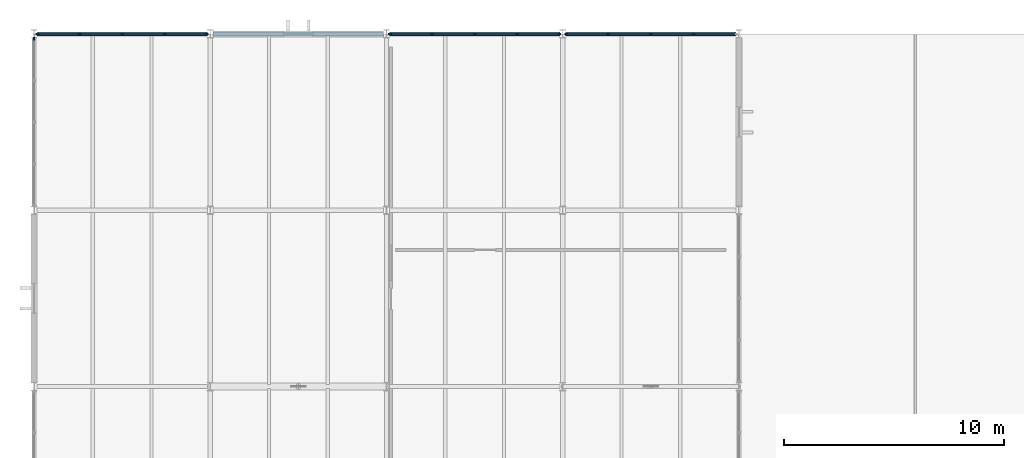
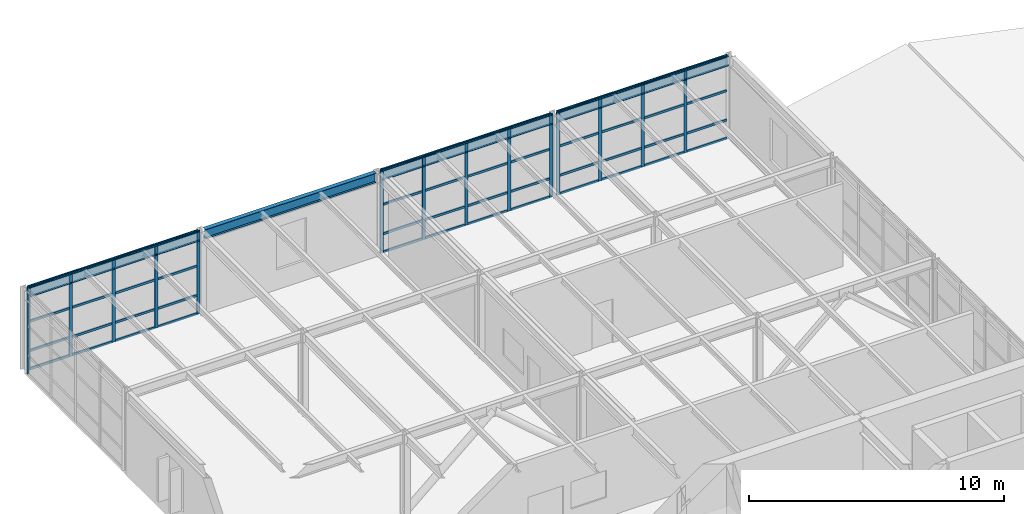
# One storey, part 11 of 20: 63 members, 4 beams, 4 elements without a shape of their own.
"""IFC4 building model written with IfcOpenShell, lengths in metres."""

from ifc_helpers import new_model, si_unit, direction, frame, origin, origin_2d, place, context, subcontext, project, spatial, rectangle, i_section, extrude, material, layer, layer_set, material_profile, profile_set, type_object, element, aggregate, save


model = new_model("IFC4")

# Units and contexts
model_context = context("Model", 3, precision=1e-05, world=origin(), true_north=direction((0.0, 1.0)))
body_context = subcontext(model_context, "Body", "Model", "MODEL_VIEW")
ifc_project = project(units=[si_unit("LENGTHUNIT", "METRE"), si_unit("AREAUNIT", "SQUARE_METRE"), si_unit("VOLUMEUNIT", "CUBIC_METRE"), si_unit("PLANEANGLEUNIT", "RADIAN"), si_unit("MASSUNIT", "GRAM", prefix="KILO")], contexts=[model_context])

# Site, building, storey
site_placement = place(None, origin())
site = spatial("IfcSite", under=ifc_project, at=site_placement, CompositionType="ELEMENT")
building_placement = place(site_placement, origin())
building = spatial("IfcBuilding", under=site, at=building_placement, Name="Varnela Railside Interchange", CompositionType="ELEMENT")
storey_placement = place(building_placement, frame((0.0, 0.0, 28.0)))
storey = spatial("IfcBuildingStorey", under=building, at=storey_placement, Name="L06", CompositionType="ELEMENT", Elevation=28.0)

# Curtain wall, member
ifc_material_1 = material(Name="Aluminium 6063-T6", Category="aluminium")
ifc_layer = layer(ifc_material_1, 0.035888671875)
ifc_layer_set = layer_set([ifc_layer], Name="Aluminium 6063-T6")
curtain_wall_type = type_object("IfcCurtainWallType", Name="Operations Wing Facade Curtain Wall CW-03", PredefinedType="USERDEFINED", material=ifc_layer_set)
curtain_wall_1_placement = place(storey_placement, origin())
curtain_wall_1 = element("IfcCurtainWall", 1, at=curtain_wall_1_placement, inside=storey, type_object=curtain_wall_type, Name="Curtain Wall CW-03 (L06) (CW-138)", ObjectType="CURTAIN WALL", PredefinedType="USERDEFINED")
ifc_material_profile_1 = material_profile(ifc_material_1, rectangle(XDim=0.06005859375, YDim=0.139892578125, at=origin_2d()), Name="ALU 60x140")
ifc_profile_set_1 = profile_set([ifc_material_profile_1], Name="Aluminium 6063-T6")
member_type_1 = type_object("IfcMemberType", Name="Curtain Wall Mullion ML-01", PredefinedType="MULLION", material=ifc_profile_set_1)
member_1_placement = place(storey_placement, frame((4.0, 93.78857421875, 0.0), z_axis=(0.0, 0.0, 1.0), x_axis=(-1.0, 0.0, 0.0)))
member_1 = element("IfcMember", 2, at=member_1_placement, type_object=member_type_1, Name="CW-03 mullion 5", PredefinedType="MULLION", context=body_context, shape_type="SweptSolid", body=[
    extrude(rectangle(XDim=0.06005859375, YDim=0.139892578125, at=origin_2d()), origin(), (0.0, 0.0, 1.0), 3.97998046875),
])
aggregate(curtain_wall_1, [member_1])

# Curtain wall, members
curtain_wall_2_placement = place(storey_placement, origin())
curtain_wall_2 = element("IfcCurtainWall", 3, at=curtain_wall_2_placement, inside=storey, type_object=curtain_wall_type, Name="Curtain Wall CW-03 (L06) (CW-139)", ObjectType="CURTAIN WALL", PredefinedType="USERDEFINED")
member_2_placement = place(storey_placement, frame((4.158447265625, 94.0, 0.0), z_axis=(0.0, 0.0, 1.0), x_axis=(0.0, 1.0, 0.0)))
member_2 = element("IfcMember", 4, at=member_2_placement, type_object=member_type_1, Name="CW-03 mullion 1", PredefinedType="MULLION", context=body_context, shape_type="SweptSolid", body=[
    extrude(rectangle(XDim=0.06005859375, YDim=0.139892578125, at=origin_2d()), origin(), (0.0, 0.0, 1.0), 3.97998046875),
])
member_3_placement = place(storey_placement, frame((6.064208984375, 94.0, 0.0), z_axis=(0.0, 0.0, 1.0), x_axis=(0.0, 1.0, 0.0)))
member_3 = element("IfcMember", 5, at=member_3_placement, type_object=member_type_1, Name="CW-03 mullion 2", PredefinedType="MULLION", context=body_context, shape_type="SweptSolid", body=[
    extrude(rectangle(XDim=0.06005859375, YDim=0.139892578125, at=origin_2d()), origin(), (0.0, 0.0, 1.0), 3.97998046875),
])
member_4_placement = place(storey_placement, frame((8.0, 94.0, 0.0), z_axis=(0.0, 0.0, 1.0), x_axis=(0.0, 1.0, 0.0)))
member_4 = element("IfcMember", 6, at=member_4_placement, type_object=member_type_1, Name="CW-03 mullion 3", PredefinedType="MULLION", context=body_context, shape_type="SweptSolid", body=[
    extrude(rectangle(XDim=0.06005859375, YDim=0.139892578125, at=origin_2d()), origin(), (0.0, 0.0, 1.0), 3.97998046875),
])
member_5_placement = place(storey_placement, frame((9.935791015625, 94.0, 0.0), z_axis=(0.0, 0.0, 1.0), x_axis=(0.0, 1.0, 0.0)))
member_5 = element("IfcMember", 7, at=member_5_placement, type_object=member_type_1, Name="CW-03 mullion 4", PredefinedType="MULLION", context=body_context, shape_type="SweptSolid", body=[
    extrude(rectangle(XDim=0.06005859375, YDim=0.139892578125, at=origin_2d()), origin(), (0.0, 0.0, 1.0), 3.97998046875),
])
member_6_placement = place(storey_placement, frame((11.841552734375, 94.0, 0.0), z_axis=(0.0, 0.0, 1.0), x_axis=(0.0, 1.0, 0.0)))
member_6 = element("IfcMember", 8, at=member_6_placement, type_object=member_type_1, Name="CW-03 mullion 5", PredefinedType="MULLION", context=body_context, shape_type="SweptSolid", body=[
    extrude(rectangle(XDim=0.06005859375, YDim=0.139892578125, at=origin_2d()), origin(), (0.0, 0.0, 1.0), 3.97998046875),
])

curtain_wall_3_placement = place(storey_placement, origin())
curtain_wall_3 = element("IfcCurtainWall", 9, at=curtain_wall_3_placement, inside=storey, type_object=curtain_wall_type, Name="Curtain Wall CW-03 (L06) (CW-140)", ObjectType="CURTAIN WALL", PredefinedType="USERDEFINED")
member_7_placement = place(storey_placement, frame((20.158447265625, 94.0, 0.0), z_axis=(0.0, 0.0, 1.0), x_axis=(0.0, 1.0, 0.0)))
member_7 = element("IfcMember", 10, at=member_7_placement, type_object=member_type_1, Name="CW-03 mullion 1", PredefinedType="MULLION", context=body_context, shape_type="SweptSolid", body=[
    extrude(rectangle(XDim=0.06005859375, YDim=0.139892578125, at=origin_2d()), origin(), (0.0, 0.0, 1.0), 3.97998046875),
])
member_8_placement = place(storey_placement, frame((22.064208984375, 94.0, 0.0), z_axis=(0.0, 0.0, 1.0), x_axis=(0.0, 1.0, 0.0)))
member_8 = element("IfcMember", 11, at=member_8_placement, type_object=member_type_1, Name="CW-03 mullion 2", PredefinedType="MULLION", context=body_context, shape_type="SweptSolid", body=[
    extrude(rectangle(XDim=0.06005859375, YDim=0.139892578125, at=origin_2d()), origin(), (0.0, 0.0, 1.0), 3.97998046875),
])
member_9_placement = place(storey_placement, frame((24.0, 94.0, 0.0), z_axis=(0.0, 0.0, 1.0), x_axis=(0.0, 1.0, 0.0)))
member_9 = element("IfcMember", 12, at=member_9_placement, type_object=member_type_1, Name="CW-03 mullion 3", PredefinedType="MULLION", context=body_context, shape_type="SweptSolid", body=[
    extrude(rectangle(XDim=0.06005859375, YDim=0.139892578125, at=origin_2d()), origin(), (0.0, 0.0, 1.0), 3.97998046875),
])
member_10_placement = place(storey_placement, frame((25.935791015625, 94.0, 0.0), z_axis=(0.0, 0.0, 1.0), x_axis=(0.0, 1.0, 0.0)))
member_10 = element("IfcMember", 13, at=member_10_placement, type_object=member_type_1, Name="CW-03 mullion 4", PredefinedType="MULLION", context=body_context, shape_type="SweptSolid", body=[
    extrude(rectangle(XDim=0.06005859375, YDim=0.139892578125, at=origin_2d()), origin(), (0.0, 0.0, 1.0), 3.97998046875),
])
member_11_placement = place(storey_placement, frame((27.841552734375, 94.0, 0.0), z_axis=(0.0, 0.0, 1.0), x_axis=(0.0, 1.0, 0.0)))
member_11 = element("IfcMember", 14, at=member_11_placement, type_object=member_type_1, Name="CW-03 mullion 5", PredefinedType="MULLION", context=body_context, shape_type="SweptSolid", body=[
    extrude(rectangle(XDim=0.06005859375, YDim=0.139892578125, at=origin_2d()), origin(), (0.0, 0.0, 1.0), 3.97998046875),
])

curtain_wall_4_placement = place(storey_placement, origin())
curtain_wall_4 = element("IfcCurtainWall", 15, at=curtain_wall_4_placement, inside=storey, type_object=curtain_wall_type, Name="Curtain Wall CW-03 (L06) (CW-141)", ObjectType="CURTAIN WALL", PredefinedType="USERDEFINED")
member_12_placement = place(storey_placement, frame((28.158447265625, 94.0, 0.0), z_axis=(0.0, 0.0, 1.0), x_axis=(0.0, 1.0, 0.0)))
member_12 = element("IfcMember", 16, at=member_12_placement, type_object=member_type_1, Name="CW-03 mullion 1", PredefinedType="MULLION", context=body_context, shape_type="SweptSolid", body=[
    extrude(rectangle(XDim=0.06005859375, YDim=0.139892578125, at=origin_2d()), origin(), (0.0, 0.0, 1.0), 3.97998046875),
])
member_13_placement = place(storey_placement, frame((30.064208984375, 94.0, 0.0), z_axis=(0.0, 0.0, 1.0), x_axis=(0.0, 1.0, 0.0)))
member_13 = element("IfcMember", 17, at=member_13_placement, type_object=member_type_1, Name="CW-03 mullion 2", PredefinedType="MULLION", context=body_context, shape_type="SweptSolid", body=[
    extrude(rectangle(XDim=0.06005859375, YDim=0.139892578125, at=origin_2d()), origin(), (0.0, 0.0, 1.0), 3.97998046875),
])
member_14_placement = place(storey_placement, frame((32.0, 94.0, 0.0), z_axis=(0.0, 0.0, 1.0), x_axis=(0.0, 1.0, 0.0)))
member_14 = element("IfcMember", 18, at=member_14_placement, type_object=member_type_1, Name="CW-03 mullion 3", PredefinedType="MULLION", context=body_context, shape_type="SweptSolid", body=[
    extrude(rectangle(XDim=0.06005859375, YDim=0.139892578125, at=origin_2d()), origin(), (0.0, 0.0, 1.0), 3.97998046875),
])
member_15_placement = place(storey_placement, frame((33.935791015625, 94.0, 0.0), z_axis=(0.0, 0.0, 1.0), x_axis=(0.0, 1.0, 0.0)))
member_15 = element("IfcMember", 19, at=member_15_placement, type_object=member_type_1, Name="CW-03 mullion 4", PredefinedType="MULLION", context=body_context, shape_type="SweptSolid", body=[
    extrude(rectangle(XDim=0.06005859375, YDim=0.139892578125, at=origin_2d()), origin(), (0.0, 0.0, 1.0), 3.97998046875),
])

# Member
ifc_material_profile_2 = material_profile(ifc_material_1, rectangle(XDim=0.06005859375, YDim=0.110107421875, at=origin_2d()), Name="ALU 60x110")
ifc_profile_set_2 = profile_set([ifc_material_profile_2], Name="Aluminium 6063-T6")
member_type_2 = type_object("IfcMemberType", Name="Curtain Wall Transom TR-01", PredefinedType="USERDEFINED", material=ifc_profile_set_2)
member_16_placement = place(storey_placement, frame((4.1884765625, 94.0, 0.030029296875), z_axis=(1.0, 0.0, 0.0), x_axis=(0.0, 1.0, 0.0)))
member_16 = element("IfcMember", 20, at=member_16_placement, type_object=member_type_2, Name="CW-03 transom 1.1", ObjectType="TRANSOM", PredefinedType="USERDEFINED", context=body_context, shape_type="SweptSolid", body=[
    extrude(rectangle(XDim=0.06005859375, YDim=0.110107421875, at=origin_2d()), origin(), (0.0, 0.0, 1.0), 1.845703125),
])

member_17_placement = place(storey_placement, frame((4.1884765625, 94.0, 0.89990234375), z_axis=(1.0, 0.0, 0.0), x_axis=(0.0, 1.0, 0.0)))
member_17 = element("IfcMember", 21, at=member_17_placement, type_object=member_type_2, Name="CW-03 transom 1.2", ObjectType="TRANSOM", PredefinedType="USERDEFINED", context=body_context, shape_type="SweptSolid", body=[
    extrude(rectangle(XDim=0.06005859375, YDim=0.110107421875, at=origin_2d()), origin(), (0.0, 0.0, 1.0), 1.845703125),
])

member_18_placement = place(storey_placement, frame((4.1884765625, 94.0, 2.308349609375), z_axis=(1.0, 0.0, 0.0), x_axis=(0.0, 1.0, 0.0)))
member_18 = element("IfcMember", 22, at=member_18_placement, type_object=member_type_2, Name="CW-03 transom 1.3", ObjectType="TRANSOM", PredefinedType="USERDEFINED", context=body_context, shape_type="SweptSolid", body=[
    extrude(rectangle(XDim=0.06005859375, YDim=0.110107421875, at=origin_2d()), origin(), (0.0, 0.0, 1.0), 1.845703125),
])

member_19_placement = place(storey_placement, frame((4.1884765625, 94.0, 3.949951171875), z_axis=(1.0, 0.0, 0.0), x_axis=(0.0, 1.0, 0.0)))
member_19 = element("IfcMember", 23, at=member_19_placement, type_object=member_type_2, Name="CW-03 transom 1.4", ObjectType="TRANSOM", PredefinedType="USERDEFINED", context=body_context, shape_type="SweptSolid", body=[
    extrude(rectangle(XDim=0.06005859375, YDim=0.110107421875, at=origin_2d()), origin(), (0.0, 0.0, 1.0), 1.845703125),
])

member_20_placement = place(storey_placement, frame((6.09423828125, 94.0, 0.030029296875), z_axis=(1.0, 0.0, 0.0), x_axis=(0.0, 1.0, 0.0)))
member_20 = element("IfcMember", 24, at=member_20_placement, type_object=member_type_2, Name="CW-03 transom 2.1", ObjectType="TRANSOM", PredefinedType="USERDEFINED", context=body_context, shape_type="SweptSolid", body=[
    extrude(rectangle(XDim=0.06005859375, YDim=0.110107421875, at=origin_2d()), origin(), (0.0, 0.0, 1.0), 1.875732421875),
])

member_21_placement = place(storey_placement, frame((6.09423828125, 94.0, 0.89990234375), z_axis=(1.0, 0.0, 0.0), x_axis=(0.0, 1.0, 0.0)))
member_21 = element("IfcMember", 25, at=member_21_placement, type_object=member_type_2, Name="CW-03 transom 2.2", ObjectType="TRANSOM", PredefinedType="USERDEFINED", context=body_context, shape_type="SweptSolid", body=[
    extrude(rectangle(XDim=0.06005859375, YDim=0.110107421875, at=origin_2d()), origin(), (0.0, 0.0, 1.0), 1.875732421875),
])

member_22_placement = place(storey_placement, frame((6.09423828125, 94.0, 2.308349609375), z_axis=(1.0, 0.0, 0.0), x_axis=(0.0, 1.0, 0.0)))
member_22 = element("IfcMember", 26, at=member_22_placement, type_object=member_type_2, Name="CW-03 transom 2.3", ObjectType="TRANSOM", PredefinedType="USERDEFINED", context=body_context, shape_type="SweptSolid", body=[
    extrude(rectangle(XDim=0.06005859375, YDim=0.110107421875, at=origin_2d()), origin(), (0.0, 0.0, 1.0), 1.875732421875),
])

member_23_placement = place(storey_placement, frame((6.09423828125, 94.0, 3.949951171875), z_axis=(1.0, 0.0, 0.0), x_axis=(0.0, 1.0, 0.0)))
member_23 = element("IfcMember", 27, at=member_23_placement, type_object=member_type_2, Name="CW-03 transom 2.4", ObjectType="TRANSOM", PredefinedType="USERDEFINED", context=body_context, shape_type="SweptSolid", body=[
    extrude(rectangle(XDim=0.06005859375, YDim=0.110107421875, at=origin_2d()), origin(), (0.0, 0.0, 1.0), 1.875732421875),
])

member_24_placement = place(storey_placement, frame((8.030029296875, 94.0, 0.030029296875), z_axis=(1.0, 0.0, 0.0), x_axis=(0.0, 1.0, 0.0)))
member_24 = element("IfcMember", 28, at=member_24_placement, type_object=member_type_2, Name="CW-03 transom 3.1", ObjectType="TRANSOM", PredefinedType="USERDEFINED", context=body_context, shape_type="SweptSolid", body=[
    extrude(rectangle(XDim=0.06005859375, YDim=0.110107421875, at=origin_2d()), origin(), (0.0, 0.0, 1.0), 1.875732421875),
])

member_25_placement = place(storey_placement, frame((8.030029296875, 94.0, 0.89990234375), z_axis=(1.0, 0.0, 0.0), x_axis=(0.0, 1.0, 0.0)))
member_25 = element("IfcMember", 29, at=member_25_placement, type_object=member_type_2, Name="CW-03 transom 3.2", ObjectType="TRANSOM", PredefinedType="USERDEFINED", context=body_context, shape_type="SweptSolid", body=[
    extrude(rectangle(XDim=0.06005859375, YDim=0.110107421875, at=origin_2d()), origin(), (0.0, 0.0, 1.0), 1.875732421875),
])

member_26_placement = place(storey_placement, frame((8.030029296875, 94.0, 2.308349609375), z_axis=(1.0, 0.0, 0.0), x_axis=(0.0, 1.0, 0.0)))
member_26 = element("IfcMember", 30, at=member_26_placement, type_object=member_type_2, Name="CW-03 transom 3.3", ObjectType="TRANSOM", PredefinedType="USERDEFINED", context=body_context, shape_type="SweptSolid", body=[
    extrude(rectangle(XDim=0.06005859375, YDim=0.110107421875, at=origin_2d()), origin(), (0.0, 0.0, 1.0), 1.875732421875),
])

member_27_placement = place(storey_placement, frame((8.030029296875, 94.0, 3.949951171875), z_axis=(1.0, 0.0, 0.0), x_axis=(0.0, 1.0, 0.0)))
member_27 = element("IfcMember", 31, at=member_27_placement, type_object=member_type_2, Name="CW-03 transom 3.4", ObjectType="TRANSOM", PredefinedType="USERDEFINED", context=body_context, shape_type="SweptSolid", body=[
    extrude(rectangle(XDim=0.06005859375, YDim=0.110107421875, at=origin_2d()), origin(), (0.0, 0.0, 1.0), 1.875732421875),
])

member_28_placement = place(storey_placement, frame((9.9658203125, 94.0, 0.030029296875), z_axis=(1.0, 0.0, 0.0), x_axis=(0.0, 1.0, 0.0)))
member_28 = element("IfcMember", 32, at=member_28_placement, type_object=member_type_2, Name="CW-03 transom 4.1", ObjectType="TRANSOM", PredefinedType="USERDEFINED", context=body_context, shape_type="SweptSolid", body=[
    extrude(rectangle(XDim=0.06005859375, YDim=0.110107421875, at=origin_2d()), origin(), (0.0, 0.0, 1.0), 1.845703125),
])

member_29_placement = place(storey_placement, frame((9.9658203125, 94.0, 0.89990234375), z_axis=(1.0, 0.0, 0.0), x_axis=(0.0, 1.0, 0.0)))
member_29 = element("IfcMember", 33, at=member_29_placement, type_object=member_type_2, Name="CW-03 transom 4.2", ObjectType="TRANSOM", PredefinedType="USERDEFINED", context=body_context, shape_type="SweptSolid", body=[
    extrude(rectangle(XDim=0.06005859375, YDim=0.110107421875, at=origin_2d()), origin(), (0.0, 0.0, 1.0), 1.845703125),
])

member_30_placement = place(storey_placement, frame((9.9658203125, 94.0, 2.308349609375), z_axis=(1.0, 0.0, 0.0), x_axis=(0.0, 1.0, 0.0)))
member_30 = element("IfcMember", 34, at=member_30_placement, type_object=member_type_2, Name="CW-03 transom 4.3", ObjectType="TRANSOM", PredefinedType="USERDEFINED", context=body_context, shape_type="SweptSolid", body=[
    extrude(rectangle(XDim=0.06005859375, YDim=0.110107421875, at=origin_2d()), origin(), (0.0, 0.0, 1.0), 1.845703125),
])

member_31_placement = place(storey_placement, frame((9.9658203125, 94.0, 3.949951171875), z_axis=(1.0, 0.0, 0.0), x_axis=(0.0, 1.0, 0.0)))
member_31 = element("IfcMember", 35, at=member_31_placement, type_object=member_type_2, Name="CW-03 transom 4.4", ObjectType="TRANSOM", PredefinedType="USERDEFINED", context=body_context, shape_type="SweptSolid", body=[
    extrude(rectangle(XDim=0.06005859375, YDim=0.110107421875, at=origin_2d()), origin(), (0.0, 0.0, 1.0), 1.845703125),
])

aggregate(curtain_wall_2, [member_2, member_3, member_4, member_5, member_6, member_16, member_17, member_18, member_19, member_20, member_21, member_22, member_23, member_24, member_25, member_26, member_27, member_28, member_29, member_30, member_31])

member_32_placement = place(storey_placement, frame((20.1884765625, 94.0, 0.030029296875), z_axis=(1.0, 0.0, 0.0), x_axis=(0.0, 1.0, 0.0)))
member_32 = element("IfcMember", 36, at=member_32_placement, type_object=member_type_2, Name="CW-03 transom 1.1", ObjectType="TRANSOM", PredefinedType="USERDEFINED", context=body_context, shape_type="SweptSolid", body=[
    extrude(rectangle(XDim=0.06005859375, YDim=0.110107421875, at=origin_2d()), origin(), (0.0, 0.0, 1.0), 1.845703125),
])

member_33_placement = place(storey_placement, frame((20.1884765625, 94.0, 0.89990234375), z_axis=(1.0, 0.0, 0.0), x_axis=(0.0, 1.0, 0.0)))
member_33 = element("IfcMember", 37, at=member_33_placement, type_object=member_type_2, Name="CW-03 transom 1.2", ObjectType="TRANSOM", PredefinedType="USERDEFINED", context=body_context, shape_type="SweptSolid", body=[
    extrude(rectangle(XDim=0.06005859375, YDim=0.110107421875, at=origin_2d()), origin(), (0.0, 0.0, 1.0), 1.845703125),
])

member_34_placement = place(storey_placement, frame((20.1884765625, 94.0, 2.308349609375), z_axis=(1.0, 0.0, 0.0), x_axis=(0.0, 1.0, 0.0)))
member_34 = element("IfcMember", 38, at=member_34_placement, type_object=member_type_2, Name="CW-03 transom 1.3", ObjectType="TRANSOM", PredefinedType="USERDEFINED", context=body_context, shape_type="SweptSolid", body=[
    extrude(rectangle(XDim=0.06005859375, YDim=0.110107421875, at=origin_2d()), origin(), (0.0, 0.0, 1.0), 1.845703125),
])

member_35_placement = place(storey_placement, frame((20.1884765625, 94.0, 3.949951171875), z_axis=(1.0, 0.0, 0.0), x_axis=(0.0, 1.0, 0.0)))
member_35 = element("IfcMember", 39, at=member_35_placement, type_object=member_type_2, Name="CW-03 transom 1.4", ObjectType="TRANSOM", PredefinedType="USERDEFINED", context=body_context, shape_type="SweptSolid", body=[
    extrude(rectangle(XDim=0.06005859375, YDim=0.110107421875, at=origin_2d()), origin(), (0.0, 0.0, 1.0), 1.845703125),
])

member_36_placement = place(storey_placement, frame((22.09423828125, 94.0, 0.030029296875), z_axis=(1.0, 0.0, 0.0), x_axis=(0.0, 1.0, 0.0)))
member_36 = element("IfcMember", 40, at=member_36_placement, type_object=member_type_2, Name="CW-03 transom 2.1", ObjectType="TRANSOM", PredefinedType="USERDEFINED", context=body_context, shape_type="SweptSolid", body=[
    extrude(rectangle(XDim=0.06005859375, YDim=0.110107421875, at=origin_2d()), origin(), (0.0, 0.0, 1.0), 1.875732421875),
])

member_37_placement = place(storey_placement, frame((22.09423828125, 94.0, 0.89990234375), z_axis=(1.0, 0.0, 0.0), x_axis=(0.0, 1.0, 0.0)))
member_37 = element("IfcMember", 41, at=member_37_placement, type_object=member_type_2, Name="CW-03 transom 2.2", ObjectType="TRANSOM", PredefinedType="USERDEFINED", context=body_context, shape_type="SweptSolid", body=[
    extrude(rectangle(XDim=0.06005859375, YDim=0.110107421875, at=origin_2d()), origin(), (0.0, 0.0, 1.0), 1.875732421875),
])

member_38_placement = place(storey_placement, frame((22.09423828125, 94.0, 2.308349609375), z_axis=(1.0, 0.0, 0.0), x_axis=(0.0, 1.0, 0.0)))
member_38 = element("IfcMember", 42, at=member_38_placement, type_object=member_type_2, Name="CW-03 transom 2.3", ObjectType="TRANSOM", PredefinedType="USERDEFINED", context=body_context, shape_type="SweptSolid", body=[
    extrude(rectangle(XDim=0.06005859375, YDim=0.110107421875, at=origin_2d()), origin(), (0.0, 0.0, 1.0), 1.875732421875),
])

member_39_placement = place(storey_placement, frame((22.09423828125, 94.0, 3.949951171875), z_axis=(1.0, 0.0, 0.0), x_axis=(0.0, 1.0, 0.0)))
member_39 = element("IfcMember", 43, at=member_39_placement, type_object=member_type_2, Name="CW-03 transom 2.4", ObjectType="TRANSOM", PredefinedType="USERDEFINED", context=body_context, shape_type="SweptSolid", body=[
    extrude(rectangle(XDim=0.06005859375, YDim=0.110107421875, at=origin_2d()), origin(), (0.0, 0.0, 1.0), 1.875732421875),
])

member_40_placement = place(storey_placement, frame((24.030029296875, 94.0, 0.030029296875), z_axis=(1.0, 0.0, 0.0), x_axis=(0.0, 1.0, 0.0)))
member_40 = element("IfcMember", 44, at=member_40_placement, type_object=member_type_2, Name="CW-03 transom 3.1", ObjectType="TRANSOM", PredefinedType="USERDEFINED", context=body_context, shape_type="SweptSolid", body=[
    extrude(rectangle(XDim=0.06005859375, YDim=0.110107421875, at=origin_2d()), origin(), (0.0, 0.0, 1.0), 1.875732421875),
])

member_41_placement = place(storey_placement, frame((24.030029296875, 94.0, 0.89990234375), z_axis=(1.0, 0.0, 0.0), x_axis=(0.0, 1.0, 0.0)))
member_41 = element("IfcMember", 45, at=member_41_placement, type_object=member_type_2, Name="CW-03 transom 3.2", ObjectType="TRANSOM", PredefinedType="USERDEFINED", context=body_context, shape_type="SweptSolid", body=[
    extrude(rectangle(XDim=0.06005859375, YDim=0.110107421875, at=origin_2d()), origin(), (0.0, 0.0, 1.0), 1.875732421875),
])

member_42_placement = place(storey_placement, frame((24.030029296875, 94.0, 2.308349609375), z_axis=(1.0, 0.0, 0.0), x_axis=(0.0, 1.0, 0.0)))
member_42 = element("IfcMember", 46, at=member_42_placement, type_object=member_type_2, Name="CW-03 transom 3.3", ObjectType="TRANSOM", PredefinedType="USERDEFINED", context=body_context, shape_type="SweptSolid", body=[
    extrude(rectangle(XDim=0.06005859375, YDim=0.110107421875, at=origin_2d()), origin(), (0.0, 0.0, 1.0), 1.875732421875),
])

member_43_placement = place(storey_placement, frame((24.030029296875, 94.0, 3.949951171875), z_axis=(1.0, 0.0, 0.0), x_axis=(0.0, 1.0, 0.0)))
member_43 = element("IfcMember", 47, at=member_43_placement, type_object=member_type_2, Name="CW-03 transom 3.4", ObjectType="TRANSOM", PredefinedType="USERDEFINED", context=body_context, shape_type="SweptSolid", body=[
    extrude(rectangle(XDim=0.06005859375, YDim=0.110107421875, at=origin_2d()), origin(), (0.0, 0.0, 1.0), 1.875732421875),
])

member_44_placement = place(storey_placement, frame((25.9658203125, 94.0, 0.030029296875), z_axis=(1.0, 0.0, 0.0), x_axis=(0.0, 1.0, 0.0)))
member_44 = element("IfcMember", 48, at=member_44_placement, type_object=member_type_2, Name="CW-03 transom 4.1", ObjectType="TRANSOM", PredefinedType="USERDEFINED", context=body_context, shape_type="SweptSolid", body=[
    extrude(rectangle(XDim=0.06005859375, YDim=0.110107421875, at=origin_2d()), origin(), (0.0, 0.0, 1.0), 1.845703125),
])

member_45_placement = place(storey_placement, frame((25.9658203125, 94.0, 0.89990234375), z_axis=(1.0, 0.0, 0.0), x_axis=(0.0, 1.0, 0.0)))
member_45 = element("IfcMember", 49, at=member_45_placement, type_object=member_type_2, Name="CW-03 transom 4.2", ObjectType="TRANSOM", PredefinedType="USERDEFINED", context=body_context, shape_type="SweptSolid", body=[
    extrude(rectangle(XDim=0.06005859375, YDim=0.110107421875, at=origin_2d()), origin(), (0.0, 0.0, 1.0), 1.845703125),
])

member_46_placement = place(storey_placement, frame((25.9658203125, 94.0, 2.308349609375), z_axis=(1.0, 0.0, 0.0), x_axis=(0.0, 1.0, 0.0)))
member_46 = element("IfcMember", 50, at=member_46_placement, type_object=member_type_2, Name="CW-03 transom 4.3", ObjectType="TRANSOM", PredefinedType="USERDEFINED", context=body_context, shape_type="SweptSolid", body=[
    extrude(rectangle(XDim=0.06005859375, YDim=0.110107421875, at=origin_2d()), origin(), (0.0, 0.0, 1.0), 1.845703125),
])

member_47_placement = place(storey_placement, frame((25.9658203125, 94.0, 3.949951171875), z_axis=(1.0, 0.0, 0.0), x_axis=(0.0, 1.0, 0.0)))
member_47 = element("IfcMember", 51, at=member_47_placement, type_object=member_type_2, Name="CW-03 transom 4.4", ObjectType="TRANSOM", PredefinedType="USERDEFINED", context=body_context, shape_type="SweptSolid", body=[
    extrude(rectangle(XDim=0.06005859375, YDim=0.110107421875, at=origin_2d()), origin(), (0.0, 0.0, 1.0), 1.845703125),
])

aggregate(curtain_wall_3, [member_7, member_8, member_9, member_10, member_11, member_32, member_33, member_34, member_35, member_36, member_37, member_38, member_39, member_40, member_41, member_42, member_43, member_44, member_45, member_46, member_47])

member_48_placement = place(storey_placement, frame((28.1884765625, 94.0, 0.030029296875), z_axis=(1.0, 0.0, 0.0), x_axis=(0.0, 1.0, 0.0)))
member_48 = element("IfcMember", 52, at=member_48_placement, type_object=member_type_2, Name="CW-03 transom 1.1", ObjectType="TRANSOM", PredefinedType="USERDEFINED", context=body_context, shape_type="SweptSolid", body=[
    extrude(rectangle(XDim=0.06005859375, YDim=0.110107421875, at=origin_2d()), origin(), (0.0, 0.0, 1.0), 1.845703125),
])

member_49_placement = place(storey_placement, frame((28.1884765625, 94.0, 0.89990234375), z_axis=(1.0, 0.0, 0.0), x_axis=(0.0, 1.0, 0.0)))
member_49 = element("IfcMember", 53, at=member_49_placement, type_object=member_type_2, Name="CW-03 transom 1.2", ObjectType="TRANSOM", PredefinedType="USERDEFINED", context=body_context, shape_type="SweptSolid", body=[
    extrude(rectangle(XDim=0.06005859375, YDim=0.110107421875, at=origin_2d()), origin(), (0.0, 0.0, 1.0), 1.845703125),
])

member_50_placement = place(storey_placement, frame((28.1884765625, 94.0, 2.308349609375), z_axis=(1.0, 0.0, 0.0), x_axis=(0.0, 1.0, 0.0)))
member_50 = element("IfcMember", 54, at=member_50_placement, type_object=member_type_2, Name="CW-03 transom 1.3", ObjectType="TRANSOM", PredefinedType="USERDEFINED", context=body_context, shape_type="SweptSolid", body=[
    extrude(rectangle(XDim=0.06005859375, YDim=0.110107421875, at=origin_2d()), origin(), (0.0, 0.0, 1.0), 1.845703125),
])

member_51_placement = place(storey_placement, frame((28.1884765625, 94.0, 3.949951171875), z_axis=(1.0, 0.0, 0.0), x_axis=(0.0, 1.0, 0.0)))
member_51 = element("IfcMember", 55, at=member_51_placement, type_object=member_type_2, Name="CW-03 transom 1.4", ObjectType="TRANSOM", PredefinedType="USERDEFINED", context=body_context, shape_type="SweptSolid", body=[
    extrude(rectangle(XDim=0.06005859375, YDim=0.110107421875, at=origin_2d()), origin(), (0.0, 0.0, 1.0), 1.845703125),
])

member_52_placement = place(storey_placement, frame((30.09423828125, 94.0, 0.030029296875), z_axis=(1.0, 0.0, 0.0), x_axis=(0.0, 1.0, 0.0)))
member_52 = element("IfcMember", 56, at=member_52_placement, type_object=member_type_2, Name="CW-03 transom 2.1", ObjectType="TRANSOM", PredefinedType="USERDEFINED", context=body_context, shape_type="SweptSolid", body=[
    extrude(rectangle(XDim=0.06005859375, YDim=0.110107421875, at=origin_2d()), origin(), (0.0, 0.0, 1.0), 1.875732421875),
])

member_53_placement = place(storey_placement, frame((30.09423828125, 94.0, 0.89990234375), z_axis=(1.0, 0.0, 0.0), x_axis=(0.0, 1.0, 0.0)))
member_53 = element("IfcMember", 57, at=member_53_placement, type_object=member_type_2, Name="CW-03 transom 2.2", ObjectType="TRANSOM", PredefinedType="USERDEFINED", context=body_context, shape_type="SweptSolid", body=[
    extrude(rectangle(XDim=0.06005859375, YDim=0.110107421875, at=origin_2d()), origin(), (0.0, 0.0, 1.0), 1.875732421875),
])

member_54_placement = place(storey_placement, frame((30.09423828125, 94.0, 2.308349609375), z_axis=(1.0, 0.0, 0.0), x_axis=(0.0, 1.0, 0.0)))
member_54 = element("IfcMember", 58, at=member_54_placement, type_object=member_type_2, Name="CW-03 transom 2.3", ObjectType="TRANSOM", PredefinedType="USERDEFINED", context=body_context, shape_type="SweptSolid", body=[
    extrude(rectangle(XDim=0.06005859375, YDim=0.110107421875, at=origin_2d()), origin(), (0.0, 0.0, 1.0), 1.875732421875),
])

member_55_placement = place(storey_placement, frame((30.09423828125, 94.0, 3.949951171875), z_axis=(1.0, 0.0, 0.0), x_axis=(0.0, 1.0, 0.0)))
member_55 = element("IfcMember", 59, at=member_55_placement, type_object=member_type_2, Name="CW-03 transom 2.4", ObjectType="TRANSOM", PredefinedType="USERDEFINED", context=body_context, shape_type="SweptSolid", body=[
    extrude(rectangle(XDim=0.06005859375, YDim=0.110107421875, at=origin_2d()), origin(), (0.0, 0.0, 1.0), 1.875732421875),
])

member_56_placement = place(storey_placement, frame((32.030029296875, 94.0, 0.030029296875), z_axis=(1.0, 0.0, 0.0), x_axis=(0.0, 1.0, 0.0)))
member_56 = element("IfcMember", 60, at=member_56_placement, type_object=member_type_2, Name="CW-03 transom 3.1", ObjectType="TRANSOM", PredefinedType="USERDEFINED", context=body_context, shape_type="SweptSolid", body=[
    extrude(rectangle(XDim=0.06005859375, YDim=0.110107421875, at=origin_2d()), origin(), (0.0, 0.0, 1.0), 1.875732421875),
])

member_57_placement = place(storey_placement, frame((32.030029296875, 94.0, 0.89990234375), z_axis=(1.0, 0.0, 0.0), x_axis=(0.0, 1.0, 0.0)))
member_57 = element("IfcMember", 61, at=member_57_placement, type_object=member_type_2, Name="CW-03 transom 3.2", ObjectType="TRANSOM", PredefinedType="USERDEFINED", context=body_context, shape_type="SweptSolid", body=[
    extrude(rectangle(XDim=0.06005859375, YDim=0.110107421875, at=origin_2d()), origin(), (0.0, 0.0, 1.0), 1.875732421875),
])

member_58_placement = place(storey_placement, frame((32.030029296875, 94.0, 2.308349609375), z_axis=(1.0, 0.0, 0.0), x_axis=(0.0, 1.0, 0.0)))
member_58 = element("IfcMember", 62, at=member_58_placement, type_object=member_type_2, Name="CW-03 transom 3.3", ObjectType="TRANSOM", PredefinedType="USERDEFINED", context=body_context, shape_type="SweptSolid", body=[
    extrude(rectangle(XDim=0.06005859375, YDim=0.110107421875, at=origin_2d()), origin(), (0.0, 0.0, 1.0), 1.875732421875),
])

member_59_placement = place(storey_placement, frame((32.030029296875, 94.0, 3.949951171875), z_axis=(1.0, 0.0, 0.0), x_axis=(0.0, 1.0, 0.0)))
member_59 = element("IfcMember", 63, at=member_59_placement, type_object=member_type_2, Name="CW-03 transom 3.4", ObjectType="TRANSOM", PredefinedType="USERDEFINED", context=body_context, shape_type="SweptSolid", body=[
    extrude(rectangle(XDim=0.06005859375, YDim=0.110107421875, at=origin_2d()), origin(), (0.0, 0.0, 1.0), 1.875732421875),
])

member_60_placement = place(storey_placement, frame((33.9658203125, 94.0, 0.030029296875), z_axis=(1.0, 0.0, 0.0), x_axis=(0.0, 1.0, 0.0)))
member_60 = element("IfcMember", 64, at=member_60_placement, type_object=member_type_2, Name="CW-03 transom 4.1", ObjectType="TRANSOM", PredefinedType="USERDEFINED", context=body_context, shape_type="SweptSolid", body=[
    extrude(rectangle(XDim=0.06005859375, YDim=0.110107421875, at=origin_2d()), origin(), (0.0, 0.0, 1.0), 1.845703125),
])

member_61_placement = place(storey_placement, frame((33.9658203125, 94.0, 0.89990234375), z_axis=(1.0, 0.0, 0.0), x_axis=(0.0, 1.0, 0.0)))
member_61 = element("IfcMember", 65, at=member_61_placement, type_object=member_type_2, Name="CW-03 transom 4.2", ObjectType="TRANSOM", PredefinedType="USERDEFINED", context=body_context, shape_type="SweptSolid", body=[
    extrude(rectangle(XDim=0.06005859375, YDim=0.110107421875, at=origin_2d()), origin(), (0.0, 0.0, 1.0), 1.845703125),
])

member_62_placement = place(storey_placement, frame((33.9658203125, 94.0, 2.308349609375), z_axis=(1.0, 0.0, 0.0), x_axis=(0.0, 1.0, 0.0)))
member_62 = element("IfcMember", 66, at=member_62_placement, type_object=member_type_2, Name="CW-03 transom 4.3", ObjectType="TRANSOM", PredefinedType="USERDEFINED", context=body_context, shape_type="SweptSolid", body=[
    extrude(rectangle(XDim=0.06005859375, YDim=0.110107421875, at=origin_2d()), origin(), (0.0, 0.0, 1.0), 1.845703125),
])

member_63_placement = place(storey_placement, frame((33.9658203125, 94.0, 3.949951171875), z_axis=(1.0, 0.0, 0.0), x_axis=(0.0, 1.0, 0.0)))
member_63 = element("IfcMember", 67, at=member_63_placement, type_object=member_type_2, Name="CW-03 transom 4.4", ObjectType="TRANSOM", PredefinedType="USERDEFINED", context=body_context, shape_type="SweptSolid", body=[
    extrude(rectangle(XDim=0.06005859375, YDim=0.110107421875, at=origin_2d()), origin(), (0.0, 0.0, 1.0), 1.845703125),
])

aggregate(curtain_wall_4, [member_12, member_13, member_14, member_15, member_48, member_49, member_50, member_51, member_52, member_53, member_54, member_55, member_56, member_57, member_58, member_59, member_60, member_61, member_62, member_63])

# Beams
ifc_material_2 = material(Name="Steel AR 350 (350 MPa)", Category="steel")
ifc_material_profile_3 = material_profile(ifc_material_2, i_section(OverallWidth=0.19091796875, OverallDepth=0.4599609375, WebThickness=0.010009765625, FlangeThickness=0.01611328125, at=origin_2d()), Name="W460x82")
ifc_profile_set_3 = profile_set([ifc_material_profile_3], Name="Steel AR 350 (350 MPa)")
beam_type = type_object("IfcBeamType", Name="Steel Perimeter Spandrel SP-01", PredefinedType="SPANDREL", material=ifc_profile_set_3)
for number, where, z_axis, x_axis, name in (
    (68, (4.12841796875, 94.0, 3.75), (1.0, 0.0, 0.0), (0.0, 1.0, 0.0), "Steel Perimeter Spandrel SP-01 (L06) (BM-2694)"),
    (69, (12.12841796875, 94.0, 3.75), (1.0, 0.0, 0.0), (0.0, 1.0, 0.0), "Steel Perimeter Spandrel SP-01 (L06) (BM-2691)"),
    (70, (20.12841796875, 94.0, 3.75), (1.0, 0.0, 0.0), (0.0, 1.0, 0.0), "Steel Perimeter Spandrel SP-01 (L06) (BM-2692)"),
    (71, (28.12841796875, 94.0, 3.75), (1.0, 0.0, 0.0), (0.0, 1.0, 0.0), "Steel Perimeter Spandrel SP-01 (L06) (BM-2693)"),
):
    element("IfcBeam", number, at=place(storey_placement, frame(where, z_axis=z_axis, x_axis=x_axis)), inside=storey, type_object=beam_type, Name=name, PredefinedType="SPANDREL", context=body_context, shape_type="SweptSolid", body=[
        extrude(i_section(OverallWidth=0.19091796875, OverallDepth=0.4599609375, WebThickness=0.010009765625, FlangeThickness=0.01611328125, at=origin_2d()), origin(), (0.0, 0.0, 1.0), 7.7431640625),
    ])

save(model, "model.ifc")
